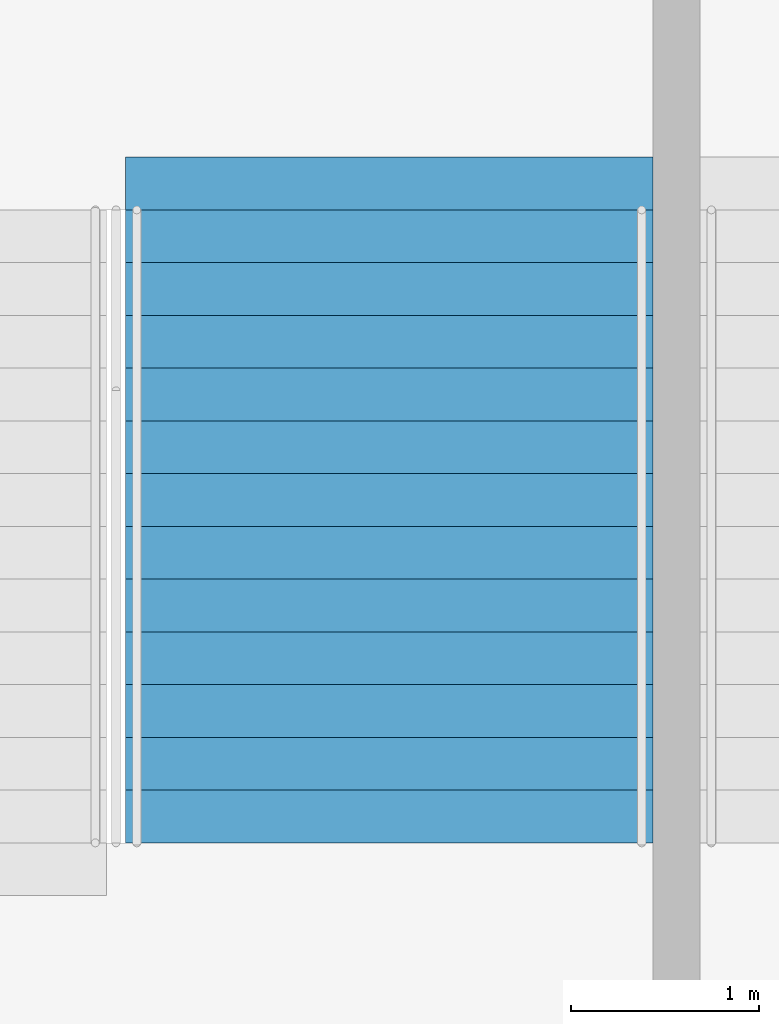
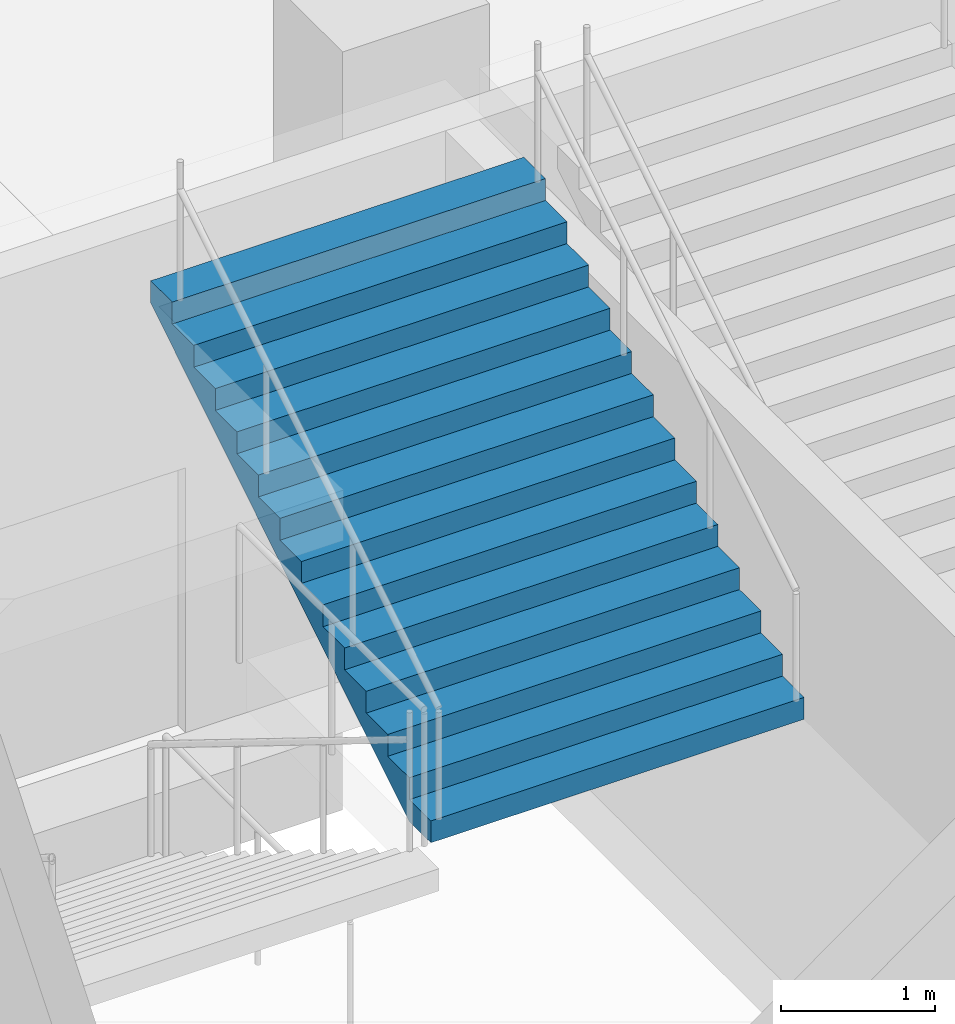
# One storey, part 112 of 199: 1 stair flight, 1 element without a shape of its own.
"""IFC4 building model written with IfcOpenShell, lengths in metres."""

from ifc_helpers import new_model, si_unit, direction, frame, origin, place, context, subcontext, project, spatial, faceted_brep, material, type_object, element, aggregate, save


model = new_model("IFC4")

# Units and contexts
model_context = context("Model", 3, precision=1e-05, world=origin(), true_north=direction((0.0, 1.0)))
body_context = subcontext(model_context, "Body", "Model", "MODEL_VIEW")
ifc_project = project(units=[si_unit("LENGTHUNIT", "METRE"), si_unit("AREAUNIT", "SQUARE_METRE"), si_unit("VOLUMEUNIT", "CUBIC_METRE"), si_unit("PLANEANGLEUNIT", "RADIAN"), si_unit("MASSUNIT", "GRAM", prefix="KILO")], contexts=[model_context])

# Site, building, storey
site_placement = place(None, origin())
site = spatial("IfcSite", under=ifc_project, at=site_placement, CompositionType="ELEMENT")
building_placement = place(site_placement, origin())
building = spatial("IfcBuilding", under=site, at=building_placement, Name="Ogive Plaza Stadium", CompositionType="ELEMENT")
storey_placement = place(building_placement, frame((0.0, 0.0, 4.5)))
storey = spatial("IfcBuildingStorey", under=building, at=storey_placement, Name="L01", CompositionType="ELEMENT", Elevation=4.5)

# Stair, stair flight
ifc_material_1 = material(Name="Concrete C40/50", Category="concrete")
stair_type = type_object("IfcStairType", Name="Exit stair", PredefinedType="STRAIGHT_RUN_STAIR", material=ifc_material_1)
stair_placement = place(storey_placement, origin())
stair = element("IfcStair", 1, at=stair_placement, inside=storey, type_object=stair_type, Name="Exit stair ST16A L01 to L02", PredefinedType="STRAIGHT_RUN_STAIR")
ifc_material_2 = material(Name="Concrete C40/50", Category="concrete")
stair_flight_type = type_object("IfcStairFlightType", Name="Exit stair flight", PredefinedType="STRAIGHT", material=ifc_material_2)
stair_flight_placement = place(storey_placement, frame((-21.925048828125, -98.2099609375, 2.25), z_axis=(0.0, 0.0, 1.0), x_axis=(0.0, 1.0, 0.0)))
stair_flight = element("IfcStairFlight", 2, at=stair_flight_placement, type_object=stair_flight_type, Name="ST16A flight 2", NumberOfRisers=13, NumberOfTreads=12, PredefinedType="STRAIGHT", RiserHeight=0.173076923, TreadLength=0.28, context=body_context, shape_type="Brep", body=[
    faceted_brep([(0.28515625, -1.39990234375, 0.0), (3.639892578125, -1.39990234375, 2.07373046875), (3.639892578125, -1.39990234375, 2.25), (3.360107421875, -1.39990234375, 2.25), (3.360107421875, -1.39990234375, 2.076904296875), (3.080078125, -1.39990234375, 2.076904296875), (3.080078125, -1.39990234375, 1.90380859375), (2.800048828125, -1.39990234375, 1.90380859375), (2.800048828125, -1.39990234375, 1.730712890625), (2.52001953125, -1.39990234375, 1.730712890625), (2.52001953125, -1.39990234375, 1.5576171875), (2.239990234375, -1.39990234375, 1.5576171875), (2.239990234375, -1.39990234375, 1.384521484375), (1.9599609375, -1.39990234375, 1.384521484375), (1.9599609375, -1.39990234375, 1.21142578125), (1.679931640625, -1.39990234375, 1.21142578125), (1.679931640625, -1.39990234375, 1.03857421875), (1.39990234375, -1.39990234375, 1.03857421875), (1.39990234375, -1.39990234375, 0.865478515625), (1.1201171875, -1.39990234375, 0.865478515625), (1.1201171875, -1.39990234375, 0.6923828125), (0.840087890625, -1.39990234375, 0.6923828125), (0.840087890625, -1.39990234375, 0.519287109375), (0.56005859375, -1.39990234375, 0.519287109375), (0.56005859375, -1.39990234375, 0.34619140625), (0.280029296875, -1.39990234375, 0.34619140625), (0.280029296875, -1.39990234375, 0.173095703125), (0.0, -1.39990234375, 0.173095703125), (0.0, -1.39990234375, 0.0), (0.0, 1.39990234375, 0.0), (0.0, 1.39990234375, 0.173095703125), (0.280029296875, 1.39990234375, 0.173095703125), (0.280029296875, 1.39990234375, 0.34619140625), (0.56005859375, 1.39990234375, 0.34619140625), (0.56005859375, 1.39990234375, 0.519287109375), (0.840087890625, 1.39990234375, 0.519287109375), (0.840087890625, 1.39990234375, 0.6923828125), (1.1201171875, 1.39990234375, 0.6923828125), (1.1201171875, 1.39990234375, 0.865478515625), (1.39990234375, 1.39990234375, 0.865478515625), (1.39990234375, 1.39990234375, 1.03857421875), (1.679931640625, 1.39990234375, 1.03857421875), (1.679931640625, 1.39990234375, 1.21142578125), (1.9599609375, 1.39990234375, 1.21142578125), (1.9599609375, 1.39990234375, 1.384521484375), (2.239990234375, 1.39990234375, 1.384521484375), (2.239990234375, 1.39990234375, 1.5576171875), (2.52001953125, 1.39990234375, 1.5576171875), (2.52001953125, 1.39990234375, 1.730712890625), (2.800048828125, 1.39990234375, 1.730712890625), (2.800048828125, 1.39990234375, 1.90380859375), (3.080078125, 1.39990234375, 1.90380859375), (3.080078125, 1.39990234375, 2.076904296875), (3.360107421875, 1.39990234375, 2.076904296875), (3.360107421875, 1.39990234375, 2.25), (3.639892578125, 1.39990234375, 2.25), (3.639892578125, 1.39990234375, 2.07373046875), (0.28515625, 1.39990234375, 0.0), (0.28515625, -1.0888671875, 0.0), (3.639892578125, -1.0888671875, 2.07373046875), (0.28515625, -0.77783203125, 0.0), (3.639892578125, -0.77783203125, 2.07373046875), (0.28515625, -0.466796875, 0.0), (3.639892578125, -0.466796875, 2.07373046875), (0.28515625, -0.155517578125, 0.0), (3.639892578125, -0.155517578125, 2.07373046875), (0.28515625, 0.155517578125, 0.0), (3.639892578125, 0.155517578125, 2.07373046875), (0.28515625, 0.466796875, 0.0), (3.639892578125, 0.466796875, 2.07373046875), (0.28515625, 0.77783203125, 0.0), (3.639892578125, 0.77783203125, 2.07373046875), (0.28515625, 1.0888671875, 0.0), (3.639892578125, 1.0888671875, 2.07373046875), (3.639892578125, -1.0888671875, 2.25), (3.639892578125, -0.77783203125, 2.25), (3.639892578125, -0.466796875, 2.25), (3.639892578125, -0.155517578125, 2.25), (3.639892578125, 0.155517578125, 2.25), (3.639892578125, 0.466796875, 2.25), (3.639892578125, 0.77783203125, 2.25), (3.639892578125, 1.0888671875, 2.25), (3.360107421875, -1.0888671875, 2.25), (3.360107421875, -0.77783203125, 2.25), (3.360107421875, -0.466796875, 2.25), (3.360107421875, -0.155517578125, 2.25), (3.360107421875, 0.155517578125, 2.25), (3.360107421875, 0.466796875, 2.25), (3.360107421875, 0.77783203125, 2.25), (3.360107421875, 1.0888671875, 2.25), (3.360107421875, -1.0888671875, 2.076904296875), (3.360107421875, -0.77783203125, 2.076904296875), (3.360107421875, -0.466796875, 2.076904296875), (3.360107421875, -0.155517578125, 2.076904296875), (3.360107421875, 0.155517578125, 2.076904296875), (3.360107421875, 0.466796875, 2.076904296875), (3.360107421875, 0.77783203125, 2.076904296875), (3.360107421875, 1.0888671875, 2.076904296875), (3.080078125, -1.0888671875, 2.076904296875), (3.080078125, -0.77783203125, 2.076904296875), (3.080078125, -0.466796875, 2.076904296875), (3.080078125, -0.155517578125, 2.076904296875), (3.080078125, 0.155517578125, 2.076904296875), (3.080078125, 0.466796875, 2.076904296875), (3.080078125, 0.77783203125, 2.076904296875), (3.080078125, 1.0888671875, 2.076904296875), (3.080078125, -1.0888671875, 1.90380859375), (3.080078125, -0.77783203125, 1.90380859375), (3.080078125, -0.466796875, 1.90380859375), (3.080078125, -0.155517578125, 1.90380859375), (3.080078125, 0.155517578125, 1.90380859375), (3.080078125, 0.466796875, 1.90380859375), (3.080078125, 0.77783203125, 1.90380859375), (3.080078125, 1.0888671875, 1.90380859375), (2.800048828125, -1.0888671875, 1.90380859375), (2.800048828125, -0.77783203125, 1.90380859375), (2.800048828125, -0.466796875, 1.90380859375), (2.800048828125, -0.155517578125, 1.90380859375), (2.800048828125, 0.155517578125, 1.90380859375), (2.800048828125, 0.466796875, 1.90380859375), (2.800048828125, 0.77783203125, 1.90380859375), (2.800048828125, 1.0888671875, 1.90380859375), (2.800048828125, -1.0888671875, 1.730712890625), (2.800048828125, -0.77783203125, 1.730712890625), (2.800048828125, -0.466796875, 1.730712890625), (2.800048828125, -0.155517578125, 1.730712890625), (2.800048828125, 0.155517578125, 1.730712890625), (2.800048828125, 0.466796875, 1.730712890625), (2.800048828125, 0.77783203125, 1.730712890625), (2.800048828125, 1.0888671875, 1.730712890625), (2.52001953125, -1.0888671875, 1.730712890625), (2.52001953125, -0.77783203125, 1.730712890625), (2.52001953125, -0.466796875, 1.730712890625), (2.52001953125, -0.155517578125, 1.730712890625), (2.52001953125, 0.155517578125, 1.730712890625), (2.52001953125, 0.466796875, 1.730712890625), (2.52001953125, 0.77783203125, 1.730712890625), (2.52001953125, 1.0888671875, 1.730712890625), (2.52001953125, -1.0888671875, 1.5576171875), (2.52001953125, -0.77783203125, 1.5576171875), (2.52001953125, -0.466796875, 1.5576171875), (2.52001953125, -0.155517578125, 1.5576171875), (2.52001953125, 0.155517578125, 1.5576171875), (2.52001953125, 0.466796875, 1.5576171875), (2.52001953125, 0.77783203125, 1.5576171875), (2.52001953125, 1.0888671875, 1.5576171875), (2.239990234375, -1.0888671875, 1.5576171875), (2.239990234375, -0.77783203125, 1.5576171875), (2.239990234375, -0.466796875, 1.5576171875), (2.239990234375, -0.155517578125, 1.5576171875), (2.239990234375, 0.155517578125, 1.5576171875), (2.239990234375, 0.466796875, 1.5576171875), (2.239990234375, 0.77783203125, 1.5576171875), (2.239990234375, 1.0888671875, 1.5576171875), (2.239990234375, -1.0888671875, 1.384521484375), (2.239990234375, -0.77783203125, 1.384521484375), (2.239990234375, -0.466796875, 1.384521484375), (2.239990234375, -0.155517578125, 1.384521484375), (2.239990234375, 0.155517578125, 1.384521484375), (2.239990234375, 0.466796875, 1.384521484375), (2.239990234375, 0.77783203125, 1.384521484375), (2.239990234375, 1.0888671875, 1.384521484375), (1.9599609375, -1.0888671875, 1.384521484375), (1.9599609375, -0.77783203125, 1.384521484375), (1.9599609375, -0.466796875, 1.384521484375), (1.9599609375, -0.155517578125, 1.384521484375), (1.9599609375, 0.155517578125, 1.384521484375), (1.9599609375, 0.466796875, 1.384521484375), (1.9599609375, 0.77783203125, 1.384521484375), (1.9599609375, 1.0888671875, 1.384521484375), (1.9599609375, -1.0888671875, 1.21142578125), (1.9599609375, -0.77783203125, 1.21142578125), (1.9599609375, -0.466796875, 1.21142578125), (1.9599609375, -0.155517578125, 1.21142578125), (1.9599609375, 0.155517578125, 1.21142578125), (1.9599609375, 0.466796875, 1.21142578125), (1.9599609375, 0.77783203125, 1.21142578125), (1.9599609375, 1.0888671875, 1.21142578125), (1.679931640625, -1.0888671875, 1.21142578125), (1.679931640625, -0.77783203125, 1.21142578125), (1.679931640625, -0.466796875, 1.21142578125), (1.679931640625, -0.155517578125, 1.21142578125), (1.679931640625, 0.155517578125, 1.21142578125), (1.679931640625, 0.466796875, 1.21142578125), (1.679931640625, 0.77783203125, 1.21142578125), (1.679931640625, 1.0888671875, 1.21142578125), (1.679931640625, -1.0888671875, 1.03857421875), (1.679931640625, -0.77783203125, 1.03857421875), (1.679931640625, -0.466796875, 1.03857421875), (1.679931640625, -0.155517578125, 1.03857421875), (1.679931640625, 0.155517578125, 1.03857421875), (1.679931640625, 0.466796875, 1.03857421875), (1.679931640625, 0.77783203125, 1.03857421875), (1.679931640625, 1.0888671875, 1.03857421875), (1.39990234375, -1.0888671875, 1.03857421875), (1.39990234375, -0.77783203125, 1.03857421875), (1.39990234375, -0.466796875, 1.03857421875), (1.39990234375, -0.155517578125, 1.03857421875), (1.39990234375, 0.155517578125, 1.03857421875), (1.39990234375, 0.466796875, 1.03857421875), (1.39990234375, 0.77783203125, 1.03857421875), (1.39990234375, 1.0888671875, 1.03857421875), (1.39990234375, -1.0888671875, 0.865478515625), (1.39990234375, -0.77783203125, 0.865478515625), (1.39990234375, -0.466796875, 0.865478515625), (1.39990234375, -0.155517578125, 0.865478515625), (1.39990234375, 0.155517578125, 0.865478515625), (1.39990234375, 0.466796875, 0.865478515625), (1.39990234375, 0.77783203125, 0.865478515625), (1.39990234375, 1.0888671875, 0.865478515625), (1.1201171875, -1.0888671875, 0.865478515625), (1.1201171875, -0.77783203125, 0.865478515625), (1.1201171875, -0.466796875, 0.865478515625), (1.1201171875, -0.155517578125, 0.865478515625), (1.1201171875, 0.155517578125, 0.865478515625), (1.1201171875, 0.466796875, 0.865478515625), (1.1201171875, 0.77783203125, 0.865478515625), (1.1201171875, 1.0888671875, 0.865478515625), (1.1201171875, -1.0888671875, 0.6923828125), (1.1201171875, -0.77783203125, 0.6923828125), (1.1201171875, -0.466796875, 0.6923828125), (1.1201171875, -0.155517578125, 0.6923828125), (1.1201171875, 0.155517578125, 0.6923828125), (1.1201171875, 0.466796875, 0.6923828125), (1.1201171875, 0.77783203125, 0.6923828125), (1.1201171875, 1.0888671875, 0.6923828125), (0.840087890625, -1.0888671875, 0.6923828125), (0.840087890625, -0.77783203125, 0.6923828125), (0.840087890625, -0.466796875, 0.6923828125), (0.840087890625, -0.155517578125, 0.6923828125), (0.840087890625, 0.155517578125, 0.6923828125), (0.840087890625, 0.466796875, 0.6923828125), (0.840087890625, 0.77783203125, 0.6923828125), (0.840087890625, 1.0888671875, 0.6923828125), (0.840087890625, -1.0888671875, 0.519287109375), (0.840087890625, -0.77783203125, 0.519287109375), (0.840087890625, -0.466796875, 0.519287109375), (0.840087890625, -0.155517578125, 0.519287109375), (0.840087890625, 0.155517578125, 0.519287109375), (0.840087890625, 0.466796875, 0.519287109375), (0.840087890625, 0.77783203125, 0.519287109375), (0.840087890625, 1.0888671875, 0.519287109375), (0.56005859375, -1.0888671875, 0.519287109375), (0.56005859375, -0.77783203125, 0.519287109375), (0.56005859375, -0.466796875, 0.519287109375), (0.56005859375, -0.155517578125, 0.519287109375), (0.56005859375, 0.155517578125, 0.519287109375), (0.56005859375, 0.466796875, 0.519287109375), (0.56005859375, 0.77783203125, 0.519287109375), (0.56005859375, 1.0888671875, 0.519287109375), (0.56005859375, -1.0888671875, 0.34619140625), (0.56005859375, -0.77783203125, 0.34619140625), (0.56005859375, -0.466796875, 0.34619140625), (0.56005859375, -0.155517578125, 0.34619140625), (0.56005859375, 0.155517578125, 0.34619140625), (0.56005859375, 0.466796875, 0.34619140625), (0.56005859375, 0.77783203125, 0.34619140625), (0.56005859375, 1.0888671875, 0.34619140625), (0.280029296875, -1.0888671875, 0.34619140625), (0.280029296875, -0.77783203125, 0.34619140625), (0.280029296875, -0.466796875, 0.34619140625), (0.280029296875, -0.155517578125, 0.34619140625), (0.280029296875, 0.155517578125, 0.34619140625), (0.280029296875, 0.466796875, 0.34619140625), (0.280029296875, 0.77783203125, 0.34619140625), (0.280029296875, 1.0888671875, 0.34619140625), (0.280029296875, -1.0888671875, 0.173095703125), (0.280029296875, -0.77783203125, 0.173095703125), (0.280029296875, -0.466796875, 0.173095703125), (0.280029296875, -0.155517578125, 0.173095703125), (0.280029296875, 0.155517578125, 0.173095703125), (0.280029296875, 0.466796875, 0.173095703125), (0.280029296875, 0.77783203125, 0.173095703125), (0.280029296875, 1.0888671875, 0.173095703125), (0.0, -1.0888671875, 0.173095703125), (0.0, -0.77783203125, 0.173095703125), (0.0, -0.466796875, 0.173095703125), (0.0, -0.155517578125, 0.173095703125), (0.0, 0.155517578125, 0.173095703125), (0.0, 0.466796875, 0.173095703125), (0.0, 0.77783203125, 0.173095703125), (0.0, 1.0888671875, 0.173095703125), (0.0, -1.0888671875, 0.0), (0.0, -0.77783203125, 0.0), (0.0, -0.466796875, 0.0), (0.0, -0.155517578125, 0.0), (0.0, 0.155517578125, 0.0), (0.0, 0.466796875, 0.0), (0.0, 0.77783203125, 0.0), (0.0, 1.0888671875, 0.0)], [[[0, 1, 2, 3, 4, 5, 6, 7, 8, 9, 10, 11, 12, 13, 14, 15, 16, 17, 18, 19, 20, 21, 22, 23, 24, 25, 26, 27, 28]], [[29, 30, 31, 32, 33, 34, 35, 36, 37, 38, 39, 40, 41, 42, 43, 44, 45, 46, 47, 48, 49, 50, 51, 52, 53, 54, 55, 56, 57]], [[0, 58, 59, 1]], [[58, 60, 61, 59]], [[60, 62, 63, 61]], [[62, 64, 65, 63]], [[64, 66, 67, 65]], [[66, 68, 69, 67]], [[68, 70, 71, 69]], [[70, 72, 73, 71]], [[72, 57, 56, 73]], [[1, 59, 74, 2]], [[59, 61, 75, 74]], [[61, 63, 76, 75]], [[63, 65, 77, 76]], [[65, 67, 78, 77]], [[67, 69, 79, 78]], [[69, 71, 80, 79]], [[71, 73, 81, 80]], [[73, 56, 55, 81]], [[2, 74, 82, 3]], [[74, 75, 83, 82]], [[75, 76, 84, 83]], [[76, 77, 85, 84]], [[77, 78, 86, 85]], [[78, 79, 87, 86]], [[79, 80, 88, 87]], [[80, 81, 89, 88]], [[81, 55, 54, 89]], [[3, 82, 90, 4]], [[82, 83, 91, 90]], [[83, 84, 92, 91]], [[84, 85, 93, 92]], [[85, 86, 94, 93]], [[86, 87, 95, 94]], [[87, 88, 96, 95]], [[88, 89, 97, 96]], [[89, 54, 53, 97]], [[4, 90, 98, 5]], [[90, 91, 99, 98]], [[91, 92, 100, 99]], [[92, 93, 101, 100]], [[93, 94, 102, 101]], [[94, 95, 103, 102]], [[95, 96, 104, 103]], [[96, 97, 105, 104]], [[97, 53, 52, 105]], [[5, 98, 106, 6]], [[98, 99, 107, 106]], [[99, 100, 108, 107]], [[100, 101, 109, 108]], [[101, 102, 110, 109]], [[102, 103, 111, 110]], [[103, 104, 112, 111]], [[104, 105, 113, 112]], [[105, 52, 51, 113]], [[6, 106, 114, 7]], [[106, 107, 115, 114]], [[107, 108, 116, 115]], [[108, 109, 117, 116]], [[109, 110, 118, 117]], [[110, 111, 119, 118]], [[111, 112, 120, 119]], [[112, 113, 121, 120]], [[113, 51, 50, 121]], [[7, 114, 122, 8]], [[114, 115, 123, 122]], [[115, 116, 124, 123]], [[116, 117, 125, 124]], [[117, 118, 126, 125]], [[118, 119, 127, 126]], [[119, 120, 128, 127]], [[120, 121, 129, 128]], [[121, 50, 49, 129]], [[8, 122, 130, 9]], [[122, 123, 131, 130]], [[123, 124, 132, 131]], [[124, 125, 133, 132]], [[125, 126, 134, 133]], [[126, 127, 135, 134]], [[127, 128, 136, 135]], [[128, 129, 137, 136]], [[129, 49, 48, 137]], [[9, 130, 138, 10]], [[130, 131, 139, 138]], [[131, 132, 140, 139]], [[132, 133, 141, 140]], [[133, 134, 142, 141]], [[134, 135, 143, 142]], [[135, 136, 144, 143]], [[136, 137, 145, 144]], [[137, 48, 47, 145]], [[10, 138, 146, 11]], [[138, 139, 147, 146]], [[139, 140, 148, 147]], [[140, 141, 149, 148]], [[141, 142, 150, 149]], [[142, 143, 151, 150]], [[143, 144, 152, 151]], [[144, 145, 153, 152]], [[145, 47, 46, 153]], [[11, 146, 154, 12]], [[146, 147, 155, 154]], [[147, 148, 156, 155]], [[148, 149, 157, 156]], [[149, 150, 158, 157]], [[150, 151, 159, 158]], [[151, 152, 160, 159]], [[152, 153, 161, 160]], [[153, 46, 45, 161]], [[12, 154, 162, 13]], [[154, 155, 163, 162]], [[155, 156, 164, 163]], [[156, 157, 165, 164]], [[157, 158, 166, 165]], [[158, 159, 167, 166]], [[159, 160, 168, 167]], [[160, 161, 169, 168]], [[161, 45, 44, 169]], [[13, 162, 170, 14]], [[162, 163, 171, 170]], [[163, 164, 172, 171]], [[164, 165, 173, 172]], [[165, 166, 174, 173]], [[166, 167, 175, 174]], [[167, 168, 176, 175]], [[168, 169, 177, 176]], [[169, 44, 43, 177]], [[14, 170, 178, 15]], [[170, 171, 179, 178]], [[171, 172, 180, 179]], [[172, 173, 181, 180]], [[173, 174, 182, 181]], [[174, 175, 183, 182]], [[175, 176, 184, 183]], [[176, 177, 185, 184]], [[177, 43, 42, 185]], [[15, 178, 186, 16]], [[178, 179, 187, 186]], [[179, 180, 188, 187]], [[180, 181, 189, 188]], [[181, 182, 190, 189]], [[182, 183, 191, 190]], [[183, 184, 192, 191]], [[184, 185, 193, 192]], [[185, 42, 41, 193]], [[16, 186, 194, 17]], [[186, 187, 195, 194]], [[187, 188, 196, 195]], [[188, 189, 197, 196]], [[189, 190, 198, 197]], [[190, 191, 199, 198]], [[191, 192, 200, 199]], [[192, 193, 201, 200]], [[193, 41, 40, 201]], [[17, 194, 202, 18]], [[194, 195, 203, 202]], [[195, 196, 204, 203]], [[196, 197, 205, 204]], [[197, 198, 206, 205]], [[198, 199, 207, 206]], [[199, 200, 208, 207]], [[200, 201, 209, 208]], [[201, 40, 39, 209]], [[18, 202, 210, 19]], [[202, 203, 211, 210]], [[203, 204, 212, 211]], [[204, 205, 213, 212]], [[205, 206, 214, 213]], [[206, 207, 215, 214]], [[207, 208, 216, 215]], [[208, 209, 217, 216]], [[209, 39, 38, 217]], [[19, 210, 218, 20]], [[210, 211, 219, 218]], [[211, 212, 220, 219]], [[212, 213, 221, 220]], [[213, 214, 222, 221]], [[214, 215, 223, 222]], [[215, 216, 224, 223]], [[216, 217, 225, 224]], [[217, 38, 37, 225]], [[20, 218, 226, 21]], [[218, 219, 227, 226]], [[219, 220, 228, 227]], [[220, 221, 229, 228]], [[221, 222, 230, 229]], [[222, 223, 231, 230]], [[223, 224, 232, 231]], [[224, 225, 233, 232]], [[225, 37, 36, 233]], [[21, 226, 234, 22]], [[226, 227, 235, 234]], [[227, 228, 236, 235]], [[228, 229, 237, 236]], [[229, 230, 238, 237]], [[230, 231, 239, 238]], [[231, 232, 240, 239]], [[232, 233, 241, 240]], [[233, 36, 35, 241]], [[22, 234, 242, 23]], [[234, 235, 243, 242]], [[235, 236, 244, 243]], [[236, 237, 245, 244]], [[237, 238, 246, 245]], [[238, 239, 247, 246]], [[239, 240, 248, 247]], [[240, 241, 249, 248]], [[241, 35, 34, 249]], [[23, 242, 250, 24]], [[242, 243, 251, 250]], [[243, 244, 252, 251]], [[244, 245, 253, 252]], [[245, 246, 254, 253]], [[246, 247, 255, 254]], [[247, 248, 256, 255]], [[248, 249, 257, 256]], [[249, 34, 33, 257]], [[24, 250, 258, 25]], [[250, 251, 259, 258]], [[251, 252, 260, 259]], [[252, 253, 261, 260]], [[253, 254, 262, 261]], [[254, 255, 263, 262]], [[255, 256, 264, 263]], [[256, 257, 265, 264]], [[257, 33, 32, 265]], [[25, 258, 266, 26]], [[258, 259, 267, 266]], [[259, 260, 268, 267]], [[260, 261, 269, 268]], [[261, 262, 270, 269]], [[262, 263, 271, 270]], [[263, 264, 272, 271]], [[264, 265, 273, 272]], [[265, 32, 31, 273]], [[26, 266, 274, 27]], [[266, 267, 275, 274]], [[267, 268, 276, 275]], [[268, 269, 277, 276]], [[269, 270, 278, 277]], [[270, 271, 279, 278]], [[271, 272, 280, 279]], [[272, 273, 281, 280]], [[273, 31, 30, 281]], [[27, 274, 282, 28]], [[274, 275, 283, 282]], [[275, 276, 284, 283]], [[276, 277, 285, 284]], [[277, 278, 286, 285]], [[278, 279, 287, 286]], [[279, 280, 288, 287]], [[280, 281, 289, 288]], [[281, 30, 29, 289]], [[28, 282, 58, 0]], [[282, 283, 60, 58]], [[283, 284, 62, 60]], [[284, 285, 64, 62]], [[285, 286, 66, 64]], [[286, 287, 68, 66]], [[287, 288, 70, 68]], [[288, 289, 72, 70]], [[289, 29, 57, 72]]]),
])
aggregate(stair, [stair_flight])

save(model, "model.ifc")
